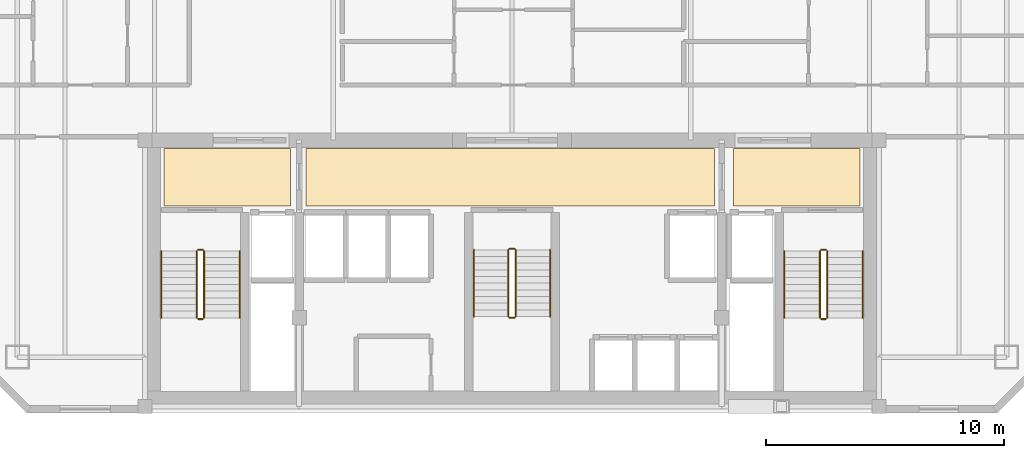
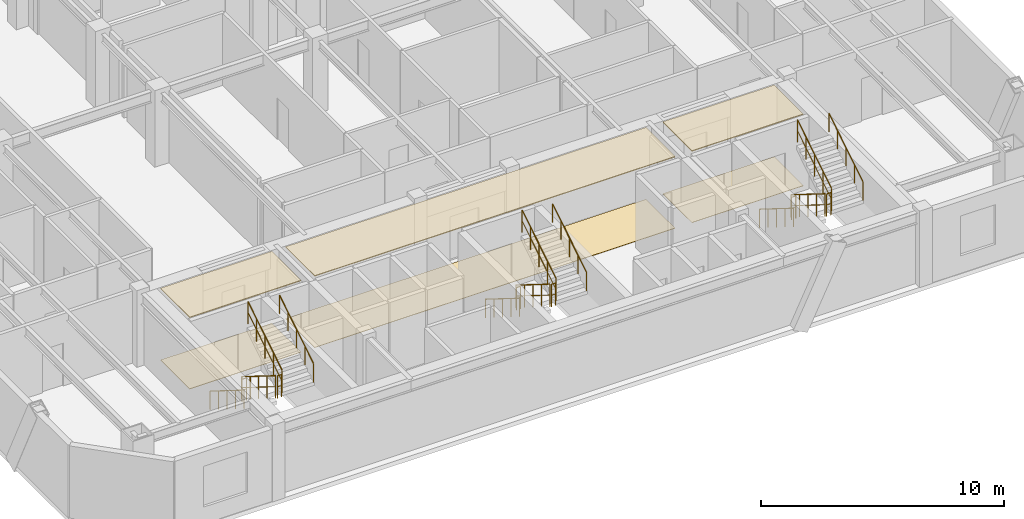
# One storey, part 10 of 10: 18 railings, 6 coverings.
"""IFC4 building model written with IfcOpenShell, lengths in metres."""

from ifc_helpers import new_model, si_unit, direction, frame, origin, origin_2d, place, context, subcontext, project, spatial, polyline, circle, outline, extrude, material, layer, layer_set, type_object, element, save


model = new_model("IFC4")

# Units and contexts
model_context = context("Model", 3, precision=1e-05, world=origin(), true_north=direction((0.0, 1.0)))
body_context = subcontext(model_context, "Body", "Model", "MODEL_VIEW")
ifc_project = project(units=[si_unit("LENGTHUNIT", "METRE"), si_unit("AREAUNIT", "SQUARE_METRE"), si_unit("VOLUMEUNIT", "CUBIC_METRE"), si_unit("PLANEANGLEUNIT", "RADIAN"), si_unit("MASSUNIT", "GRAM", prefix="KILO")], contexts=[model_context])

# Site, building, storey
site_placement = place(None, origin())
site = spatial("IfcSite", under=ifc_project, at=site_placement, CompositionType="ELEMENT")
building_placement = place(site_placement, origin())
building = spatial("IfcBuilding", under=site, at=building_placement, Name="Ventersveld Concourse Tower", CompositionType="ELEMENT")
storey_placement = place(building_placement, frame((0.0, 0.0, 208.0)))
storey = spatial("IfcBuildingStorey", under=building, at=storey_placement, Name="L51", CompositionType="ELEMENT", Elevation=208.0)

# Coverings
ifc_material_1 = material(Name="Mineral-fibre acoustic ceiling tile", Category="gypsum")
ifc_layer_1 = layer(ifc_material_1, 0.0400390625)
ifc_layer_set_1 = layer_set([ifc_layer_1], Name="Mineral-fibre acoustic ceiling tile")
covering_type_1 = type_object("IfcCoveringType", Name="COV-CEIL-ACOUSTIC", PredefinedType="CEILING", material=ifc_layer_set_1)
covering_1_placement = place(storey_placement, frame((0.0, 0.0, 3.590087890625)))
element("IfcCovering", 1, at=covering_1_placement, inside=storey, type_object=covering_type_1, Name="L51 North Lift Lobby Acoustic Ceiling", PredefinedType="CEILING", context=body_context, shape_type="SweptSolid", body=[
    extrude(outline(polyline([(20.10009765625, 8.699951171875), (37.25, 8.699951171875), (37.25, 11.10009765625), (20.10009765625, 11.10009765625), (20.10009765625, 8.699951171875)])), origin(), (0.0, 0.0, 1.0), 0.039794921875),
])
covering_2_placement = place(storey_placement, frame((0.0, 0.0, 3.590087890625)))
element("IfcCovering", 2, at=covering_2_placement, inside=storey, type_object=covering_type_1, Name="L51 West Firefighting Lobby Acoustic Ceiling", PredefinedType="CEILING", context=body_context, shape_type="SweptSolid", body=[
    extrude(outline(polyline([(14.14990234375, 8.699951171875), (19.449951171875, 8.699951171875), (19.449951171875, 11.10009765625), (14.14990234375, 11.10009765625), (14.14990234375, 8.699951171875)])), origin(), (0.0, 0.0, 1.0), 0.039794921875),
])
covering_3_placement = place(storey_placement, frame((0.0, 0.0, 3.590087890625)))
element("IfcCovering", 3, at=covering_3_placement, inside=storey, type_object=covering_type_1, Name="L51 East Firefighting Lobby Acoustic Ceiling", PredefinedType="CEILING", context=body_context, shape_type="SweptSolid", body=[
    extrude(outline(polyline([(38.050048828125, 8.699951171875), (43.35009765625, 8.699951171875), (43.35009765625, 11.10009765625), (38.050048828125, 11.10009765625), (38.050048828125, 8.699951171875)])), origin(), (0.0, 0.0, 1.0), 0.039794921875),
])
ifc_material_2 = material(Name="Polished Highveld granite terrazzo", Category="masonry")
ifc_layer_2 = layer(ifc_material_2, 0.02001953125)
ifc_layer_set_2 = layer_set([ifc_layer_2], Name="Polished Highveld granite terrazzo")
covering_type_2 = type_object("IfcCoveringType", Name="COV-FLOOR-TERRAZZO", PredefinedType="FLOORING", material=ifc_layer_set_2)
covering_4_placement = place(storey_placement, origin())
element("IfcCovering", 4, at=covering_4_placement, inside=storey, type_object=covering_type_2, Name="L51 North Lift Lobby Terrazzo Flooring", PredefinedType="FLOORING", context=body_context, shape_type="SweptSolid", body=[
    extrude(outline(polyline([(20.10009765625, 8.699951171875), (37.25, 8.699951171875), (37.25, 11.10009765625), (20.10009765625, 11.10009765625), (20.10009765625, 8.699951171875)])), origin(), (0.0, 0.0, 1.0), 0.02001953125),
])
covering_5_placement = place(storey_placement, origin())
element("IfcCovering", 5, at=covering_5_placement, inside=storey, type_object=covering_type_2, Name="L51 West Firefighting Lobby Terrazzo Flooring", PredefinedType="FLOORING", context=body_context, shape_type="SweptSolid", body=[
    extrude(outline(polyline([(14.14990234375, 8.699951171875), (19.449951171875, 8.699951171875), (19.449951171875, 11.10009765625), (14.14990234375, 11.10009765625), (14.14990234375, 8.699951171875)])), origin(), (0.0, 0.0, 1.0), 0.02001953125),
])
covering_6_placement = place(storey_placement, origin())
element("IfcCovering", 6, at=covering_6_placement, inside=storey, type_object=covering_type_2, Name="L51 East Firefighting Lobby Terrazzo Flooring", PredefinedType="FLOORING", context=body_context, shape_type="SweptSolid", body=[
    extrude(outline(polyline([(38.050048828125, 8.699951171875), (43.35009765625, 8.699951171875), (43.35009765625, 11.10009765625), (38.050048828125, 11.10009765625), (38.050048828125, 8.699951171875)])), origin(), (0.0, 0.0, 1.0), 0.02001953125),
])

# Railings
ifc_material_3 = material(Name="Brushed stainless steel 316", Category="steel")
railing_type_1 = type_object("IfcRailingType", Name="GD-BAL-115", PredefinedType="GUARDRAIL", material=ifc_material_3)
railing_1_placement = place(storey_placement, frame((15.530029296875, 6.800048828125, 0.175048828125)))
element("IfcRailing", 7, at=railing_1_placement, inside=storey, type_object=railing_type_1, Name="L51 ST-01 stair guard 1", PredefinedType="GUARDRAIL", context=body_context, shape_type="SweptSolid", body=[
    extrude(circle(Radius=0.02392578125, at=origin_2d()), frame((0.0, 0.0, 1.1259765625), z_axis=(0.0, -0.848002457836, 0.529992293815), x_axis=(1.0, 0.0, 0.0)), (0.0, 0.0, 1.0), 3.302001953125),
    extrude(circle(Radius=0.01611328125, at=origin_2d()), frame((0.0, 0.0, 0.574951171875), z_axis=(0.0, -0.848002457836, 0.529992293815), x_axis=(1.0, 0.0, 0.0)), (0.0, 0.0, 1.0), 3.302001953125),
    extrude(circle(Radius=0.02099609375, at=origin_2d()), origin(), (0.0, 0.0, 1.0), 1.101806640625),
    extrude(circle(Radius=0.02099609375, at=origin_2d()), frame((0.0, -0.699951171875, 0.4375)), (0.0, 0.0, 1.0), 1.101806640625),
    extrude(circle(Radius=0.02099609375, at=origin_2d()), frame((0.0, -1.39990234375, 0.875)), (0.0, 0.0, 1.0), 1.101806640625),
    extrude(circle(Radius=0.02099609375, at=origin_2d()), frame((0.0, -2.10009765625, 1.3125)), (0.0, 0.0, 1.0), 1.101806640625),
    extrude(circle(Radius=0.02099609375, at=origin_2d()), frame((0.0, -2.800048828125, 1.75)), (0.0, 0.0, 1.0), 1.101806640625),
])
railing_2_placement = place(storey_placement, frame((15.580078125, 3.949951171875, 1.925048828125)))
element("IfcRailing", 8, at=railing_2_placement, inside=storey, type_object=railing_type_1, Name="L51 ST-01 stair guard 2", PredefinedType="GUARDRAIL", context=body_context, shape_type="SweptSolid", body=[
    extrude(circle(Radius=0.02392578125, at=origin_2d()), frame((0.0, 0.0, 1.1259765625), z_axis=(1.0, 0.0, 0.0), x_axis=(0.0, 1.0, 0.0)), (0.0, 0.0, 1.0), 0.199951171875),
    extrude(circle(Radius=0.01611328125, at=origin_2d()), frame((0.0, 0.0, 0.574951171875), z_axis=(1.0, 0.0, 0.0), x_axis=(0.0, 1.0, 0.0)), (0.0, 0.0, 1.0), 0.199951171875),
    extrude(circle(Radius=0.02099609375, at=origin_2d()), origin(), (0.0, 0.0, 1.0), 1.101806640625),
    extrude(circle(Radius=0.02099609375, at=origin_2d()), frame((0.199951171875, 0.0, 0.0)), (0.0, 0.0, 1.0), 1.101806640625),
])
railing_3_placement = place(storey_placement, frame((15.830078125, 4.0, 2.10009765625)))
element("IfcRailing", 9, at=railing_3_placement, inside=storey, type_object=railing_type_1, Name="L51 ST-01 stair guard 3", PredefinedType="GUARDRAIL", context=body_context, shape_type="SweptSolid", body=[
    extrude(circle(Radius=0.02392578125, at=origin_2d()), frame((0.0, 0.0, 1.1259765625), z_axis=(0.0, 0.848002457836, 0.529992293815), x_axis=(-1.0, 0.0, 0.0)), (0.0, 0.0, 1.0), 3.302001953125),
    extrude(circle(Radius=0.01611328125, at=origin_2d()), frame((0.0, 0.0, 0.574951171875), z_axis=(0.0, 0.848002457836, 0.529992293815), x_axis=(-1.0, 0.0, 0.0)), (0.0, 0.0, 1.0), 3.302001953125),
    extrude(circle(Radius=0.02099609375, at=origin_2d()), origin(), (0.0, 0.0, 1.0), 1.101806640625),
    extrude(circle(Radius=0.02099609375, at=origin_2d()), frame((0.0, 0.699951171875, 0.4375)), (0.0, 0.0, 1.0), 1.101806640625),
    extrude(circle(Radius=0.02099609375, at=origin_2d()), frame((0.0, 1.39990234375, 0.875)), (0.0, 0.0, 1.0), 1.101806640625),
    extrude(circle(Radius=0.02099609375, at=origin_2d()), frame((0.0, 2.10009765625, 1.3125)), (0.0, 0.0, 1.0), 1.101806640625),
    extrude(circle(Radius=0.02099609375, at=origin_2d()), frame((0.0, 2.800048828125, 1.75)), (0.0, 0.0, 1.0), 1.101806640625),
])
railing_4_placement = place(storey_placement, frame((15.580078125, 6.85009765625, 0.0)))
element("IfcRailing", 10, at=railing_4_placement, inside=storey, type_object=railing_type_1, Name="L51 ST-01 stair guard 4", PredefinedType="GUARDRAIL", context=body_context, shape_type="SweptSolid", body=[
    extrude(circle(Radius=0.02392578125, at=origin_2d()), frame((0.0, 0.0, 1.1259765625), z_axis=(1.0, 0.0, 0.0), x_axis=(0.0, 1.0, 0.0)), (0.0, 0.0, 1.0), 0.199951171875),
    extrude(circle(Radius=0.01611328125, at=origin_2d()), frame((0.0, 0.0, 0.574951171875), z_axis=(1.0, 0.0, 0.0), x_axis=(0.0, 1.0, 0.0)), (0.0, 0.0, 1.0), 0.199951171875),
    extrude(circle(Radius=0.02099609375, at=origin_2d()), origin(), (0.0, 0.0, 1.0), 1.101806640625),
    extrude(circle(Radius=0.02099609375, at=origin_2d()), frame((0.199951171875, 0.0, 0.0)), (0.0, 0.0, 1.0), 1.101806640625),
])
railing_5_placement = place(storey_placement, frame((41.669921875, 6.800048828125, 0.175048828125)))
element("IfcRailing", 11, at=railing_5_placement, inside=storey, type_object=railing_type_1, Name="L51 ST-02 stair guard 1", PredefinedType="GUARDRAIL", context=body_context, shape_type="SweptSolid", body=[
    extrude(circle(Radius=0.02392578125, at=origin_2d()), frame((0.0, 0.0, 1.1259765625), z_axis=(0.0, -0.848002457836, 0.529992293815), x_axis=(1.0, 0.0, 0.0)), (0.0, 0.0, 1.0), 3.302001953125),
    extrude(circle(Radius=0.01611328125, at=origin_2d()), frame((0.0, 0.0, 0.574951171875), z_axis=(0.0, -0.848002457836, 0.529992293815), x_axis=(1.0, 0.0, 0.0)), (0.0, 0.0, 1.0), 3.302001953125),
    extrude(circle(Radius=0.02099609375, at=origin_2d()), origin(), (0.0, 0.0, 1.0), 1.101806640625),
    extrude(circle(Radius=0.02099609375, at=origin_2d()), frame((0.0, -0.699951171875, 0.4375)), (0.0, 0.0, 1.0), 1.101806640625),
    extrude(circle(Radius=0.02099609375, at=origin_2d()), frame((0.0, -1.39990234375, 0.875)), (0.0, 0.0, 1.0), 1.101806640625),
    extrude(circle(Radius=0.02099609375, at=origin_2d()), frame((0.0, -2.10009765625, 1.3125)), (0.0, 0.0, 1.0), 1.101806640625),
    extrude(circle(Radius=0.02099609375, at=origin_2d()), frame((0.0, -2.800048828125, 1.75)), (0.0, 0.0, 1.0), 1.101806640625),
])
railing_6_placement = place(storey_placement, frame((41.719970703125, 3.949951171875, 1.925048828125)))
element("IfcRailing", 12, at=railing_6_placement, inside=storey, type_object=railing_type_1, Name="L51 ST-02 stair guard 2", PredefinedType="GUARDRAIL", context=body_context, shape_type="SweptSolid", body=[
    extrude(circle(Radius=0.02392578125, at=origin_2d()), frame((0.0, 0.0, 1.1259765625), z_axis=(1.0, 0.0, 0.0), x_axis=(0.0, 1.0, 0.0)), (0.0, 0.0, 1.0), 0.199951171875),
    extrude(circle(Radius=0.01611328125, at=origin_2d()), frame((0.0, 0.0, 0.574951171875), z_axis=(1.0, 0.0, 0.0), x_axis=(0.0, 1.0, 0.0)), (0.0, 0.0, 1.0), 0.199951171875),
    extrude(circle(Radius=0.02099609375, at=origin_2d()), origin(), (0.0, 0.0, 1.0), 1.101806640625),
    extrude(circle(Radius=0.02099609375, at=origin_2d()), frame((0.199951171875, 0.0, 0.0)), (0.0, 0.0, 1.0), 1.101806640625),
])
railing_7_placement = place(storey_placement, frame((41.969970703125, 4.0, 2.10009765625)))
element("IfcRailing", 13, at=railing_7_placement, inside=storey, type_object=railing_type_1, Name="L51 ST-02 stair guard 3", PredefinedType="GUARDRAIL", context=body_context, shape_type="SweptSolid", body=[
    extrude(circle(Radius=0.02392578125, at=origin_2d()), frame((0.0, 0.0, 1.1259765625), z_axis=(0.0, 0.848002457836, 0.529992293815), x_axis=(-1.0, 0.0, 0.0)), (0.0, 0.0, 1.0), 3.302001953125),
    extrude(circle(Radius=0.01611328125, at=origin_2d()), frame((0.0, 0.0, 0.574951171875), z_axis=(0.0, 0.848002457836, 0.529992293815), x_axis=(-1.0, 0.0, 0.0)), (0.0, 0.0, 1.0), 3.302001953125),
    extrude(circle(Radius=0.02099609375, at=origin_2d()), origin(), (0.0, 0.0, 1.0), 1.101806640625),
    extrude(circle(Radius=0.02099609375, at=origin_2d()), frame((0.0, 0.699951171875, 0.4375)), (0.0, 0.0, 1.0), 1.101806640625),
    extrude(circle(Radius=0.02099609375, at=origin_2d()), frame((0.0, 1.39990234375, 0.875)), (0.0, 0.0, 1.0), 1.101806640625),
    extrude(circle(Radius=0.02099609375, at=origin_2d()), frame((0.0, 2.10009765625, 1.3125)), (0.0, 0.0, 1.0), 1.101806640625),
    extrude(circle(Radius=0.02099609375, at=origin_2d()), frame((0.0, 2.800048828125, 1.75)), (0.0, 0.0, 1.0), 1.101806640625),
])
railing_8_placement = place(storey_placement, frame((41.719970703125, 6.85009765625, 0.0)))
element("IfcRailing", 14, at=railing_8_placement, inside=storey, type_object=railing_type_1, Name="L51 ST-02 stair guard 4", PredefinedType="GUARDRAIL", context=body_context, shape_type="SweptSolid", body=[
    extrude(circle(Radius=0.02392578125, at=origin_2d()), frame((0.0, 0.0, 1.1259765625), z_axis=(1.0, 0.0, 0.0), x_axis=(0.0, 1.0, 0.0)), (0.0, 0.0, 1.0), 0.199951171875),
    extrude(circle(Radius=0.01611328125, at=origin_2d()), frame((0.0, 0.0, 0.574951171875), z_axis=(1.0, 0.0, 0.0), x_axis=(0.0, 1.0, 0.0)), (0.0, 0.0, 1.0), 0.199951171875),
    extrude(circle(Radius=0.02099609375, at=origin_2d()), origin(), (0.0, 0.0, 1.0), 1.101806640625),
    extrude(circle(Radius=0.02099609375, at=origin_2d()), frame((0.199951171875, 0.0, 0.0)), (0.0, 0.0, 1.0), 1.101806640625),
])
railing_9_placement = place(storey_placement, frame((28.60009765625, 6.85009765625, 0.175048828125)))
element("IfcRailing", 15, at=railing_9_placement, inside=storey, type_object=railing_type_1, Name="L51 ST-03 stair guard 1", PredefinedType="GUARDRAIL", context=body_context, shape_type="SweptSolid", body=[
    extrude(circle(Radius=0.02392578125, at=origin_2d()), frame((0.0, 0.0, 1.1259765625), z_axis=(0.0, -0.848002457836, 0.529992293815), x_axis=(1.0, 0.0, 0.0)), (0.0, 0.0, 1.0), 3.302001953125),
    extrude(circle(Radius=0.01611328125, at=origin_2d()), frame((0.0, 0.0, 0.574951171875), z_axis=(0.0, -0.848002457836, 0.529992293815), x_axis=(1.0, 0.0, 0.0)), (0.0, 0.0, 1.0), 3.302001953125),
    extrude(circle(Radius=0.02099609375, at=origin_2d()), origin(), (0.0, 0.0, 1.0), 1.101806640625),
    extrude(circle(Radius=0.02099609375, at=origin_2d()), frame((0.0, -0.699951171875, 0.4375)), (0.0, 0.0, 1.0), 1.101806640625),
    extrude(circle(Radius=0.02099609375, at=origin_2d()), frame((0.0, -1.39990234375, 0.875)), (0.0, 0.0, 1.0), 1.101806640625),
    extrude(circle(Radius=0.02099609375, at=origin_2d()), frame((0.0, -2.10009765625, 1.3125)), (0.0, 0.0, 1.0), 1.101806640625),
    extrude(circle(Radius=0.02099609375, at=origin_2d()), frame((0.0, -2.800048828125, 1.75)), (0.0, 0.0, 1.0), 1.101806640625),
])
railing_10_placement = place(storey_placement, frame((28.64990234375, 4.0, 1.925048828125)))
element("IfcRailing", 16, at=railing_10_placement, inside=storey, type_object=railing_type_1, Name="L51 ST-03 stair guard 2", PredefinedType="GUARDRAIL", context=body_context, shape_type="SweptSolid", body=[
    extrude(circle(Radius=0.02392578125, at=origin_2d()), frame((0.0, 0.0, 1.1259765625), z_axis=(1.0, 0.0, 0.0), x_axis=(0.0, 1.0, 0.0)), (0.0, 0.0, 1.0), 0.2001953125),
    extrude(circle(Radius=0.01611328125, at=origin_2d()), frame((0.0, 0.0, 0.574951171875), z_axis=(1.0, 0.0, 0.0), x_axis=(0.0, 1.0, 0.0)), (0.0, 0.0, 1.0), 0.2001953125),
    extrude(circle(Radius=0.02099609375, at=origin_2d()), origin(), (0.0, 0.0, 1.0), 1.101806640625),
    extrude(circle(Radius=0.02099609375, at=origin_2d()), frame((0.2001953125, 0.0, 0.0)), (0.0, 0.0, 1.0), 1.101806640625),
])
railing_11_placement = place(storey_placement, frame((28.89990234375, 4.050048828125, 2.10009765625)))
element("IfcRailing", 17, at=railing_11_placement, inside=storey, type_object=railing_type_1, Name="L51 ST-03 stair guard 3", PredefinedType="GUARDRAIL", context=body_context, shape_type="SweptSolid", body=[
    extrude(circle(Radius=0.02392578125, at=origin_2d()), frame((0.0, 0.0, 1.1259765625), z_axis=(0.0, 0.848002457836, 0.529992293815), x_axis=(-1.0, 0.0, 0.0)), (0.0, 0.0, 1.0), 3.302001953125),
    extrude(circle(Radius=0.01611328125, at=origin_2d()), frame((0.0, 0.0, 0.574951171875), z_axis=(0.0, 0.848002457836, 0.529992293815), x_axis=(-1.0, 0.0, 0.0)), (0.0, 0.0, 1.0), 3.302001953125),
    extrude(circle(Radius=0.02099609375, at=origin_2d()), origin(), (0.0, 0.0, 1.0), 1.101806640625),
    extrude(circle(Radius=0.02099609375, at=origin_2d()), frame((0.0, 0.699951171875, 0.4375)), (0.0, 0.0, 1.0), 1.101806640625),
    extrude(circle(Radius=0.02099609375, at=origin_2d()), frame((0.0, 1.39990234375, 0.875)), (0.0, 0.0, 1.0), 1.101806640625),
    extrude(circle(Radius=0.02099609375, at=origin_2d()), frame((0.0, 2.10009765625, 1.3125)), (0.0, 0.0, 1.0), 1.101806640625),
    extrude(circle(Radius=0.02099609375, at=origin_2d()), frame((0.0, 2.800048828125, 1.75)), (0.0, 0.0, 1.0), 1.101806640625),
])
railing_12_placement = place(storey_placement, frame((28.64990234375, 6.89990234375, 0.0)))
element("IfcRailing", 18, at=railing_12_placement, inside=storey, type_object=railing_type_1, Name="L51 ST-03 stair guard 4", PredefinedType="GUARDRAIL", context=body_context, shape_type="SweptSolid", body=[
    extrude(circle(Radius=0.02392578125, at=origin_2d()), frame((0.0, 0.0, 1.1259765625), z_axis=(1.0, 0.0, 0.0), x_axis=(0.0, 1.0, 0.0)), (0.0, 0.0, 1.0), 0.2001953125),
    extrude(circle(Radius=0.01611328125, at=origin_2d()), frame((0.0, 0.0, 0.574951171875), z_axis=(1.0, 0.0, 0.0), x_axis=(0.0, 1.0, 0.0)), (0.0, 0.0, 1.0), 0.2001953125),
    extrude(circle(Radius=0.02099609375, at=origin_2d()), origin(), (0.0, 0.0, 1.0), 1.101806640625),
    extrude(circle(Radius=0.02099609375, at=origin_2d()), frame((0.2001953125, 0.0, 0.0)), (0.0, 0.0, 1.0), 1.101806640625),
])
railing_type_2 = type_object("IfcRailingType", Name="HR-RMP-095", PredefinedType="HANDRAIL", material=ifc_material_3)
railing_13_placement = place(storey_placement, frame((14.030029296875, 6.800048828125, 0.175048828125)))
element("IfcRailing", 19, at=railing_13_placement, inside=storey, type_object=railing_type_2, Name="L51 ST-01 stair handrail 1", PredefinedType="HANDRAIL", context=body_context, shape_type="SweptSolid", body=[
    extrude(circle(Radius=0.02392578125, at=origin_2d()), frame((0.0, 0.0, 0.92578125), z_axis=(0.0, -0.848002457836, 0.529992293815), x_axis=(1.0, 0.0, 0.0)), (0.0, 0.0, 1.0), 3.302001953125),
    extrude(circle(Radius=0.02099609375, at=origin_2d()), origin(), (0.0, 0.0, 1.0), 0.90185546875),
    extrude(circle(Radius=0.02099609375, at=origin_2d()), frame((0.0, -0.699951171875, 0.4375)), (0.0, 0.0, 1.0), 0.90185546875),
    extrude(circle(Radius=0.02099609375, at=origin_2d()), frame((0.0, -1.39990234375, 0.875)), (0.0, 0.0, 1.0), 0.90185546875),
    extrude(circle(Radius=0.02099609375, at=origin_2d()), frame((0.0, -2.10009765625, 1.3125)), (0.0, 0.0, 1.0), 0.90185546875),
    extrude(circle(Radius=0.02099609375, at=origin_2d()), frame((0.0, -2.800048828125, 1.75)), (0.0, 0.0, 1.0), 0.90185546875),
])
railing_14_placement = place(storey_placement, frame((17.330078125, 4.0, 2.10009765625)))
element("IfcRailing", 20, at=railing_14_placement, inside=storey, type_object=railing_type_2, Name="L51 ST-01 stair handrail 2", PredefinedType="HANDRAIL", context=body_context, shape_type="SweptSolid", body=[
    extrude(circle(Radius=0.02392578125, at=origin_2d()), frame((0.0, 0.0, 0.92578125), z_axis=(0.0, 0.848002457836, 0.529992293815), x_axis=(-1.0, 0.0, 0.0)), (0.0, 0.0, 1.0), 3.302001953125),
    extrude(circle(Radius=0.02099609375, at=origin_2d()), origin(), (0.0, 0.0, 1.0), 0.90185546875),
    extrude(circle(Radius=0.02099609375, at=origin_2d()), frame((0.0, 0.699951171875, 0.4375)), (0.0, 0.0, 1.0), 0.90185546875),
    extrude(circle(Radius=0.02099609375, at=origin_2d()), frame((0.0, 1.39990234375, 0.875)), (0.0, 0.0, 1.0), 0.90185546875),
    extrude(circle(Radius=0.02099609375, at=origin_2d()), frame((0.0, 2.10009765625, 1.3125)), (0.0, 0.0, 1.0), 0.90185546875),
    extrude(circle(Radius=0.02099609375, at=origin_2d()), frame((0.0, 2.800048828125, 1.75)), (0.0, 0.0, 1.0), 0.90185546875),
])
railing_15_placement = place(storey_placement, frame((40.169921875, 6.800048828125, 0.175048828125)))
element("IfcRailing", 21, at=railing_15_placement, inside=storey, type_object=railing_type_2, Name="L51 ST-02 stair handrail 1", PredefinedType="HANDRAIL", context=body_context, shape_type="SweptSolid", body=[
    extrude(circle(Radius=0.02392578125, at=origin_2d()), frame((0.0, 0.0, 0.92578125), z_axis=(0.0, -0.848002457836, 0.529992293815), x_axis=(1.0, 0.0, 0.0)), (0.0, 0.0, 1.0), 3.302001953125),
    extrude(circle(Radius=0.02099609375, at=origin_2d()), origin(), (0.0, 0.0, 1.0), 0.90185546875),
    extrude(circle(Radius=0.02099609375, at=origin_2d()), frame((0.0, -0.699951171875, 0.4375)), (0.0, 0.0, 1.0), 0.90185546875),
    extrude(circle(Radius=0.02099609375, at=origin_2d()), frame((0.0, -1.39990234375, 0.875)), (0.0, 0.0, 1.0), 0.90185546875),
    extrude(circle(Radius=0.02099609375, at=origin_2d()), frame((0.0, -2.10009765625, 1.3125)), (0.0, 0.0, 1.0), 0.90185546875),
    extrude(circle(Radius=0.02099609375, at=origin_2d()), frame((0.0, -2.800048828125, 1.75)), (0.0, 0.0, 1.0), 0.90185546875),
])
railing_16_placement = place(storey_placement, frame((43.469970703125, 4.0, 2.10009765625)))
element("IfcRailing", 22, at=railing_16_placement, inside=storey, type_object=railing_type_2, Name="L51 ST-02 stair handrail 2", PredefinedType="HANDRAIL", context=body_context, shape_type="SweptSolid", body=[
    extrude(circle(Radius=0.02392578125, at=origin_2d()), frame((0.0, 0.0, 0.92578125), z_axis=(0.0, 0.848002457836, 0.529992293815), x_axis=(-1.0, 0.0, 0.0)), (0.0, 0.0, 1.0), 3.302001953125),
    extrude(circle(Radius=0.02099609375, at=origin_2d()), origin(), (0.0, 0.0, 1.0), 0.90185546875),
    extrude(circle(Radius=0.02099609375, at=origin_2d()), frame((0.0, 0.699951171875, 0.4375)), (0.0, 0.0, 1.0), 0.90185546875),
    extrude(circle(Radius=0.02099609375, at=origin_2d()), frame((0.0, 1.39990234375, 0.875)), (0.0, 0.0, 1.0), 0.90185546875),
    extrude(circle(Radius=0.02099609375, at=origin_2d()), frame((0.0, 2.10009765625, 1.3125)), (0.0, 0.0, 1.0), 0.90185546875),
    extrude(circle(Radius=0.02099609375, at=origin_2d()), frame((0.0, 2.800048828125, 1.75)), (0.0, 0.0, 1.0), 0.90185546875),
])
railing_17_placement = place(storey_placement, frame((27.14990234375, 6.85009765625, 0.175048828125)))
element("IfcRailing", 23, at=railing_17_placement, inside=storey, type_object=railing_type_2, Name="L51 ST-03 stair handrail 1", PredefinedType="HANDRAIL", context=body_context, shape_type="SweptSolid", body=[
    extrude(circle(Radius=0.02392578125, at=origin_2d()), frame((0.0, 0.0, 0.92578125), z_axis=(0.0, -0.848002457836, 0.529992293815), x_axis=(1.0, 0.0, 0.0)), (0.0, 0.0, 1.0), 3.302001953125),
    extrude(circle(Radius=0.02099609375, at=origin_2d()), origin(), (0.0, 0.0, 1.0), 0.90185546875),
    extrude(circle(Radius=0.02099609375, at=origin_2d()), frame((0.0, -0.699951171875, 0.4375)), (0.0, 0.0, 1.0), 0.90185546875),
    extrude(circle(Radius=0.02099609375, at=origin_2d()), frame((0.0, -1.39990234375, 0.875)), (0.0, 0.0, 1.0), 0.90185546875),
    extrude(circle(Radius=0.02099609375, at=origin_2d()), frame((0.0, -2.10009765625, 1.3125)), (0.0, 0.0, 1.0), 0.90185546875),
    extrude(circle(Radius=0.02099609375, at=origin_2d()), frame((0.0, -2.800048828125, 1.75)), (0.0, 0.0, 1.0), 0.90185546875),
])
railing_18_placement = place(storey_placement, frame((30.35009765625, 4.050048828125, 2.10009765625)))
element("IfcRailing", 24, at=railing_18_placement, inside=storey, type_object=railing_type_2, Name="L51 ST-03 stair handrail 2", PredefinedType="HANDRAIL", context=body_context, shape_type="SweptSolid", body=[
    extrude(circle(Radius=0.02392578125, at=origin_2d()), frame((0.0, 0.0, 0.92578125), z_axis=(0.0, 0.848002457836, 0.529992293815), x_axis=(-1.0, 0.0, 0.0)), (0.0, 0.0, 1.0), 3.302001953125),
    extrude(circle(Radius=0.02099609375, at=origin_2d()), origin(), (0.0, 0.0, 1.0), 0.90185546875),
    extrude(circle(Radius=0.02099609375, at=origin_2d()), frame((0.0, 0.699951171875, 0.4375)), (0.0, 0.0, 1.0), 0.90185546875),
    extrude(circle(Radius=0.02099609375, at=origin_2d()), frame((0.0, 1.39990234375, 0.875)), (0.0, 0.0, 1.0), 0.90185546875),
    extrude(circle(Radius=0.02099609375, at=origin_2d()), frame((0.0, 2.10009765625, 1.3125)), (0.0, 0.0, 1.0), 0.90185546875),
    extrude(circle(Radius=0.02099609375, at=origin_2d()), frame((0.0, 2.800048828125, 1.75)), (0.0, 0.0, 1.0), 0.90185546875),
])

save(model, "model.ifc")
